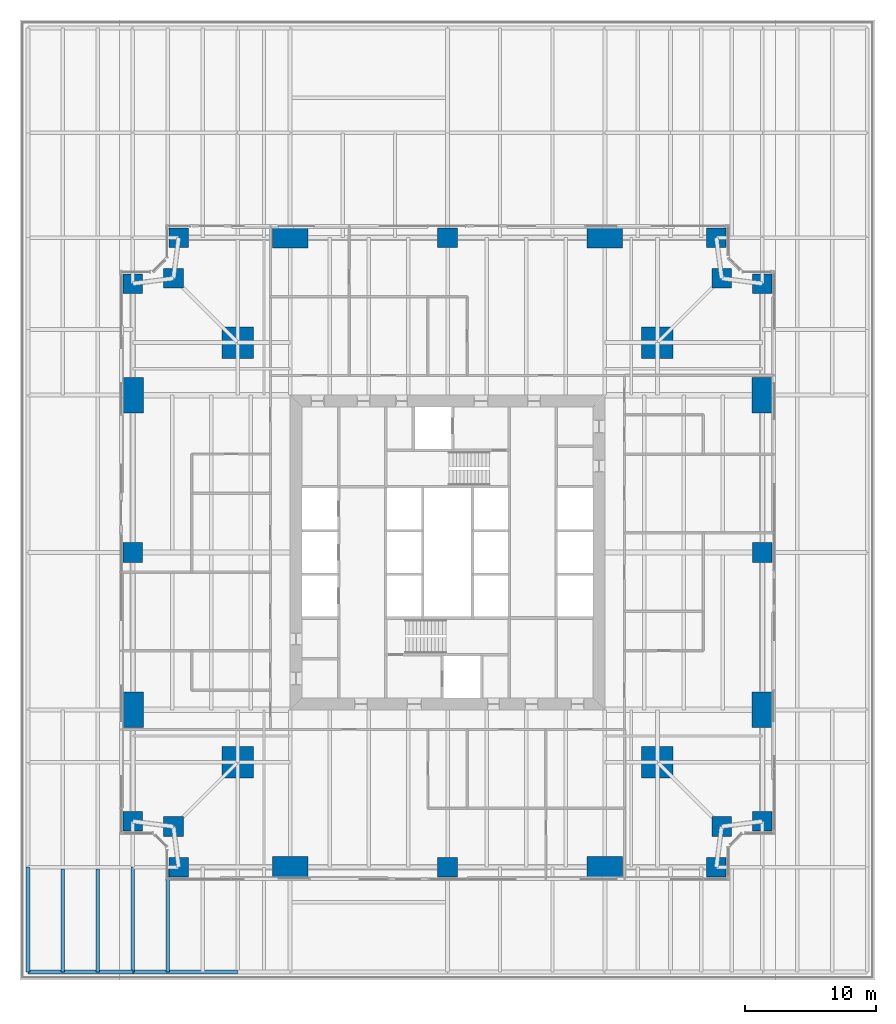
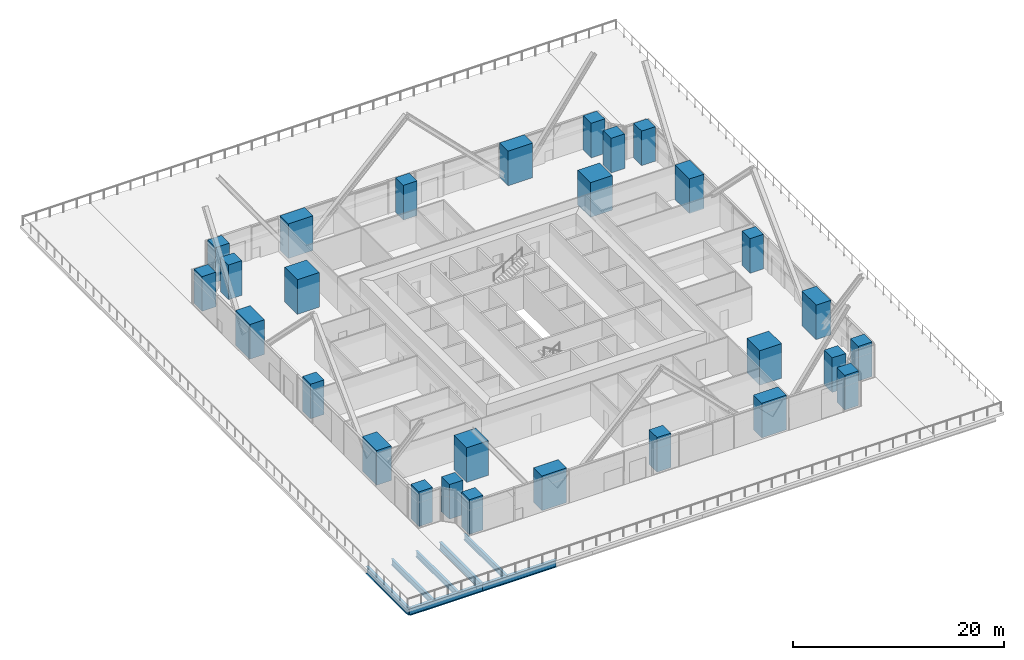
# One storey, part 1 of 21: 28 columns, 7 beams.
"""IFC4 building model written with IfcOpenShell, lengths in metres."""

from ifc_helpers import new_model, si_unit, direction, frame, origin, origin_2d, place, context, subcontext, project, spatial, rectangle, i_section, extrude, material, material_profile, profile_set, type_object, element, save


model = new_model("IFC4")

# Units and contexts
model_context = context("Model", 3, precision=1e-05, world=origin(), true_north=direction((0.0, 1.0)))
body_context = subcontext(model_context, "Body", "Model", "MODEL_VIEW")
ifc_project = project(units=[si_unit("LENGTHUNIT", "METRE"), si_unit("AREAUNIT", "SQUARE_METRE"), si_unit("VOLUMEUNIT", "CUBIC_METRE"), si_unit("PLANEANGLEUNIT", "RADIAN"), si_unit("MASSUNIT", "GRAM", prefix="KILO")], contexts=[model_context])

# Site, building, storey
site_placement = place(None, origin())
site = spatial("IfcSite", under=ifc_project, at=site_placement, CompositionType="ELEMENT")
building_placement = place(site_placement, origin())
building = spatial("IfcBuilding", under=site, at=building_placement, Name="Fenwick Lantern Interchange", CompositionType="ELEMENT")
storey_placement = place(building_placement, frame((0.0, 0.0, 31.0)))
storey = spatial("IfcBuildingStorey", under=building, at=storey_placement, Name="L06", CompositionType="ELEMENT", Elevation=31.0)

# Columns
ifc_material_1 = material(Name="Concrete f'c 70 MPa", Category="concrete")
ifc_material_profile_1 = material_profile(ifc_material_1, rectangle(XDim=2.39990234375, YDim=2.39990234375, at=origin_2d()), Name="RC2400X2400")
ifc_profile_set_1 = profile_set([ifc_material_profile_1], Name="Concrete f'c 70 MPa")
column_type_1 = type_object("IfcColumnType", Name="MEGA COLUMN RC2400X2400", PredefinedType="COLUMN", material=ifc_profile_set_1)
for number, where, z_axis, x_axis, name in (
    (1, (9.0, 9.0, 0.0), (0.0, 0.0, 1.0), (1.0, 0.0, 0.0), "L06/M1"),
    (2, (41.0, 9.0, 0.0), (0.0, 0.0, 1.0), (1.0, 0.0, 0.0), "L06/M2"),
    (3, (41.0, 41.0, 0.0), (0.0, 0.0, 1.0), (1.0, 0.0, 0.0), "L06/M3"),
    (4, (9.0, 41.0, 0.0), (0.0, 0.0, 1.0), (1.0, 0.0, 0.0), "L06/M4"),
):
    element("IfcColumn", number, at=place(storey_placement, frame(where, z_axis=z_axis, x_axis=x_axis)), inside=storey, type_object=column_type_1, Name=name, PredefinedType="COLUMN", context=body_context, shape_type="SweptSolid", body=[
        extrude(rectangle(XDim=2.39990234375, YDim=2.39990234375, at=origin_2d()), origin(), (0.0, 0.0, 1.0), 4.0),
    ])
ifc_material_profile_2 = material_profile(ifc_material_1, rectangle(XDim=1.5, YDim=1.5, at=origin_2d()), Name="RC1500X1500")
ifc_profile_set_2 = profile_set([ifc_material_profile_2], Name="Concrete f'c 70 MPa")
column_type_2 = type_object("IfcColumnType", Name="PERIMETER COLUMN RC1500X1500", PredefinedType="COLUMN", material=ifc_profile_set_2)
for number, where, z_axis, x_axis, name in (
    (5, (4.5, 1.0, 0.0), (0.0, 0.0, 1.0), (1.0, 0.0, 0.0), "L06/CS1"),
    (6, (25.0, 1.0, 0.0), (0.0, 0.0, 1.0), (1.0, 0.0, 0.0), "L06/CS3"),
    (7, (45.5, 1.0, 0.0), (0.0, 0.0, 1.0), (1.0, 0.0, 0.0), "L06/CS5"),
    (8, (45.89990234375, 4.10009765625, 0.0), (0.0, 0.0, 1.0), (1.0, 0.0, 0.0), "L06/CSR"),
    (9, (49.0, 4.5, 0.0), (0.0, 0.0, 1.0), (1.0, 0.0, 0.0), "L06/CE1"),
    (10, (49.0, 25.0, 0.0), (0.0, 0.0, 1.0), (1.0, 0.0, 0.0), "L06/CE3"),
    (11, (49.0, 45.5, 0.0), (0.0, 0.0, 1.0), (1.0, 0.0, 0.0), "L06/CE5"),
    (12, (45.89990234375, 45.89990234375, 0.0), (0.0, 0.0, 1.0), (1.0, 0.0, 0.0), "L06/CER"),
    (13, (45.5, 49.0, 0.0), (0.0, 0.0, 1.0), (1.0, 0.0, 0.0), "L06/CN1"),
    (14, (25.0, 49.0, 0.0), (0.0, 0.0, 1.0), (1.0, 0.0, 0.0), "L06/CN3"),
    (15, (4.5, 49.0, 0.0), (0.0, 0.0, 1.0), (1.0, 0.0, 0.0), "L06/CN5"),
    (16, (4.10009765625, 45.89990234375, 0.0), (0.0, 0.0, 1.0), (1.0, 0.0, 0.0), "L06/CNR"),
    (17, (1.0, 45.5, 0.0), (0.0, 0.0, 1.0), (1.0, 0.0, 0.0), "L06/CW1"),
    (18, (1.0, 25.0, 0.0), (0.0, 0.0, 1.0), (1.0, 0.0, 0.0), "L06/CW3"),
    (19, (1.0, 4.5, 0.0), (0.0, 0.0, 1.0), (1.0, 0.0, 0.0), "L06/CW5"),
    (20, (4.10009765625, 4.10009765625, 0.0), (0.0, 0.0, 1.0), (1.0, 0.0, 0.0), "L06/CWR"),
):
    element("IfcColumn", number, at=place(storey_placement, frame(where, z_axis=z_axis, x_axis=x_axis)), inside=storey, type_object=column_type_2, Name=name, PredefinedType="COLUMN", context=body_context, shape_type="SweptSolid", body=[
        extrude(rectangle(XDim=1.5, YDim=1.5, at=origin_2d()), origin(), (0.0, 0.0, 1.0), 4.0),
    ])
ifc_material_profile_3 = material_profile(ifc_material_1, rectangle(XDim=1.60009765625, YDim=2.699951171875, at=origin_2d()), Name="RC1600X2700")
ifc_profile_set_3 = profile_set([ifc_material_profile_3], Name="Concrete f'c 70 MPa")
column_type_3 = type_object("IfcColumnType", Name="PERIMETER COLUMN RC1600X2700", PredefinedType="COLUMN", material=ifc_profile_set_3)
for number, where, z_axis, x_axis, name in (
    (21, (49.0, 13.0, 0.0), (0.0, 0.0, 1.0), (1.0, 0.0, 0.0), "L06/CE2"),
    (22, (49.0, 37.0, 0.0), (0.0, 0.0, 1.0), (1.0, 0.0, 0.0), "L06/CE4"),
    (23, (1.0, 37.0, 0.0), (0.0, 0.0, 1.0), (1.0, 0.0, 0.0), "L06/CW2"),
    (24, (1.0, 13.0, 0.0), (0.0, 0.0, 1.0), (1.0, 0.0, 0.0), "L06/CW4"),
):
    element("IfcColumn", number, at=place(storey_placement, frame(where, z_axis=z_axis, x_axis=x_axis)), inside=storey, type_object=column_type_3, Name=name, PredefinedType="COLUMN", context=body_context, shape_type="SweptSolid", body=[
        extrude(rectangle(XDim=1.60009765625, YDim=2.699951171875, at=origin_2d()), origin(), (0.0, 0.0, 1.0), 4.0),
    ])
ifc_material_profile_4 = material_profile(ifc_material_1, rectangle(XDim=2.699951171875, YDim=1.60009765625, at=origin_2d()), Name="RC2700X1600")
ifc_profile_set_4 = profile_set([ifc_material_profile_4], Name="Concrete f'c 70 MPa")
column_type_4 = type_object("IfcColumnType", Name="PERIMETER COLUMN RC2700X1600", PredefinedType="COLUMN", material=ifc_profile_set_4)
for number, where, z_axis, x_axis, name in (
    (25, (13.0, 1.0, 0.0), (0.0, 0.0, 1.0), (1.0, 0.0, 0.0), "L06/CS2"),
    (26, (37.0, 1.0, 0.0), (0.0, 0.0, 1.0), (1.0, 0.0, 0.0), "L06/CS4"),
    (27, (37.0, 49.0, 0.0), (0.0, 0.0, 1.0), (1.0, 0.0, 0.0), "L06/CN2"),
    (28, (13.0, 49.0, 0.0), (0.0, 0.0, 1.0), (1.0, 0.0, 0.0), "L06/CN4"),
):
    element("IfcColumn", number, at=place(storey_placement, frame(where, z_axis=z_axis, x_axis=x_axis)), inside=storey, type_object=column_type_4, Name=name, PredefinedType="COLUMN", context=body_context, shape_type="SweptSolid", body=[
        extrude(rectangle(XDim=2.699951171875, YDim=1.60009765625, at=origin_2d()), origin(), (0.0, 0.0, 1.0), 4.0),
    ])

# Beams
ifc_material_2 = material(Name="Steel ASTM A992 Grade 50", Category="steel")
ifc_material_profile_5 = material_profile(ifc_material_2, i_section(OverallWidth=0.2919921875, OverallDepth=0.845703125, WebThickness=0.015380859375, FlangeThickness=0.0244140625, at=origin_2d()), Name="W33X141")
ifc_profile_set_5 = profile_set([ifc_material_profile_5], Name="Steel ASTM A992 Grade 50")
beam_type_1 = type_object("IfcBeamType", Name="MOMENT-CONNECTED PODIUM GIRDER W33X141", PredefinedType="BEAM", material=ifc_profile_set_5)
for number, where, z_axis, x_axis, name in (
    (29, (-7.0, -7.0, -0.722900390625), (1.0, 0.0, 0.0), (0.0, 1.0, 0.0), "L06/PF/G001"),
    (30, (1.0, -7.0, -0.722900390625), (1.0, 0.0, 0.0), (0.0, 1.0, 0.0), "L06/PF/G002"),
    (31, (-7.0, -7.0, -0.722900390625), (0.0, 1.0, 0.0), (-1.0, 0.0, 0.0), "L06/PF/G043"),
    (32, (1.0, -7.0, -0.722900390625), (0.0, 1.0, 0.0), (-1.0, 0.0, 0.0), "L06/PF/G052"),
):
    element("IfcBeam", number, at=place(storey_placement, frame(where, z_axis=z_axis, x_axis=x_axis)), inside=storey, type_object=beam_type_1, Name=name, PredefinedType="BEAM", context=body_context, shape_type="SweptSolid", body=[
        extrude(i_section(OverallWidth=0.2919921875, OverallDepth=0.845703125, WebThickness=0.015380859375, FlangeThickness=0.0244140625, at=origin_2d()), origin(), (0.0, 0.0, 1.0), 8.0),
    ])
ifc_material_profile_6 = material_profile(ifc_material_2, i_section(OverallWidth=0.25390625, OverallDepth=0.683349609375, WebThickness=0.012451171875, FlangeThickness=0.01904296875, at=origin_2d()), Name="W27X94")
ifc_profile_set_6 = profile_set([ifc_material_profile_6], Name="Steel ASTM A992 Grade 50")
beam_type_2 = type_object("IfcBeamType", Name="PODIUM BEAM W27X94", PredefinedType="JOIST", material=ifc_profile_set_6)
for number, where, z_axis, x_axis, name in (
    (33, (-4.333251953125, -7.0, -0.6416015625), (0.0, 1.0, 0.0), (-1.0, 0.0, 0.0), "L06/PF/J086"),
    (34, (-1.666748046875, -7.0, -0.6416015625), (0.0, 1.0, 0.0), (-1.0, 0.0, 0.0), "L06/PF/J087"),
):
    element("IfcBeam", number, at=place(storey_placement, frame(where, z_axis=z_axis, x_axis=x_axis)), inside=storey, type_object=beam_type_2, Name=name, PredefinedType="JOIST", context=body_context, shape_type="SweptSolid", body=[
        extrude(i_section(OverallWidth=0.25390625, OverallDepth=0.683349609375, WebThickness=0.012451171875, FlangeThickness=0.01904296875, at=origin_2d()), origin(), (0.0, 0.0, 1.0), 7.85400390625),
    ])
beam_placement = place(storey_placement, frame((3.666748046875, -7.0, -0.6416015625), z_axis=(0.0, 1.0, 0.0), x_axis=(-1.0, 0.0, 0.0)))
element("IfcBeam", 35, at=beam_placement, inside=storey, type_object=beam_type_2, Name="L06/PF/J102", PredefinedType="JOIST", context=body_context, shape_type="SweptSolid", body=[
    extrude(i_section(OverallWidth=0.25390625, OverallDepth=0.683349609375, WebThickness=0.012451171875, FlangeThickness=0.01904296875, at=origin_2d()), origin(), (0.0, 0.0, 1.0), 8.0),
])

save(model, "model.ifc")
